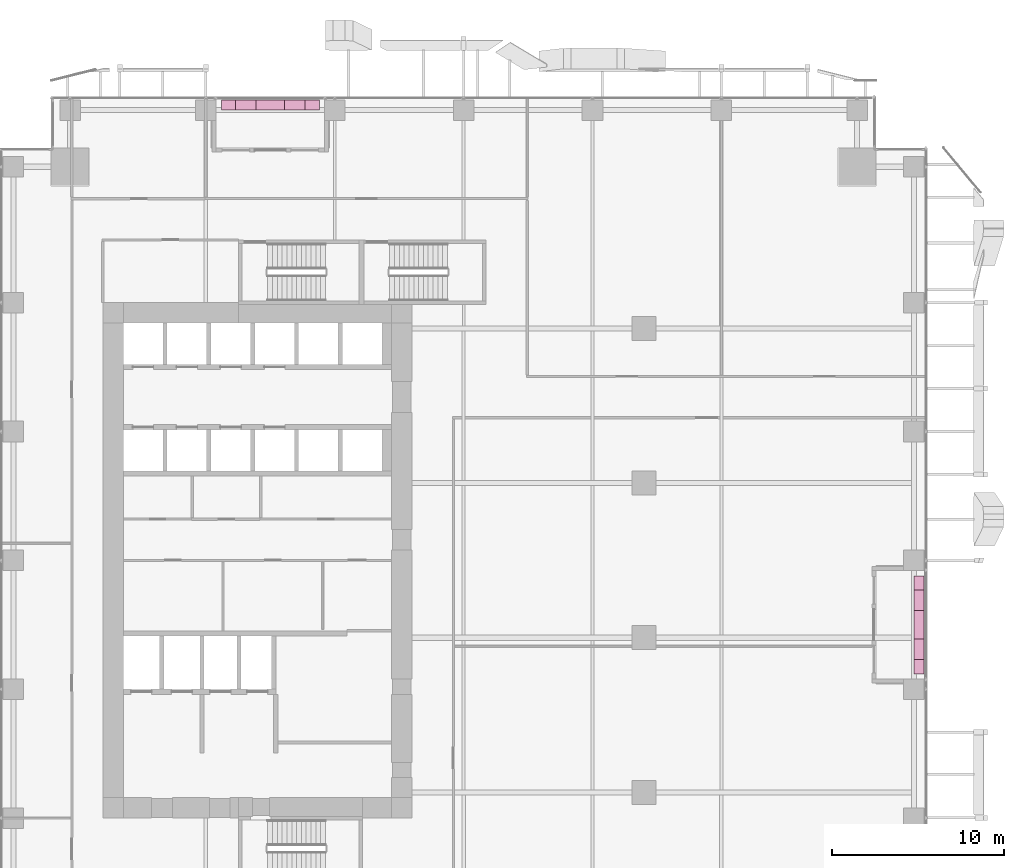
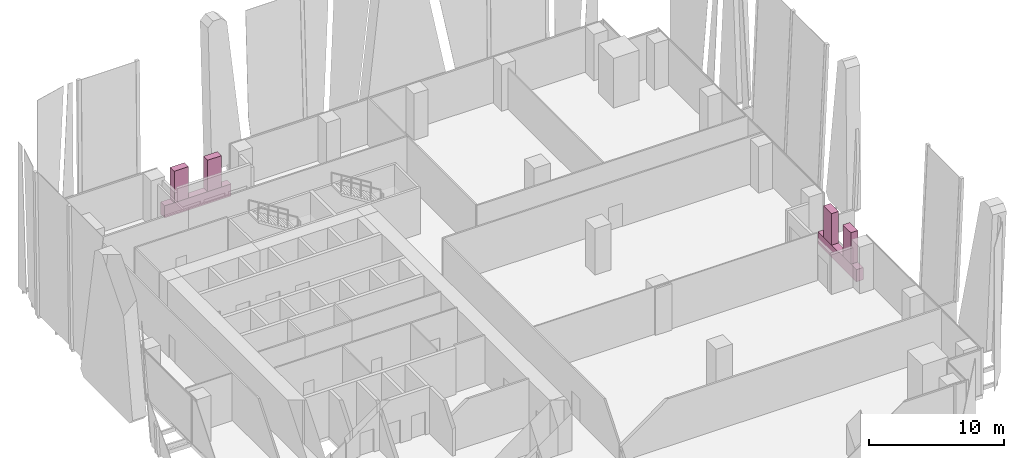
# One storey, part 34 of 34: 6 furnishings.
"""IFC4 building model written with IfcOpenShell, lengths in metres."""

import ifcopenshell
import ifcopenshell.guid

model = None  # the IFC model being written
_history = None  # IfcOwnerHistory: only IFC2X3 demands one
_inside = {}  # id of a spatial element -> (the spatial element, [elements in it])
_under = {}  # id of a project, library or spatial element -> (it, [spatial elements below it])
_declared = {}  # id of a project -> (the project, [libraries it declares])
_typed = {}  # id of a type object -> (the type object, [elements of that type])
_made_of = {}  # id of a material, layer set ... -> (it, [elements and type objects made of it])


def new_model(schema):
    """Start an empty IFC model of exactly this schema.

    Asked for "IFC4X3", IfcOpenShell would pick the latest addendum, in which some entities
    have other attributes; the version numbers below select the first issue.
    IFC2X3 requires an IfcOwnerHistory on every rooted entity: one is made here for all.
    """
    global model, _history
    if schema == "IFC4X3":
        model = ifcopenshell.file(schema_version=(4, 3, 0, 0))
    else:
        model = ifcopenshell.file(schema=schema)
    _inside.clear()
    _under.clear()
    _declared.clear()
    _typed.clear()
    _made_of.clear()
    _history = None
    if model.schema == "IFC2X3":
        org = make("IfcOrganization", Name="unknown")
        user = make(
            "IfcPersonAndOrganization",
            ThePerson=make("IfcPerson", FamilyName="unknown"),
            TheOrganization=org,
        )
        app = make(
            "IfcApplication",
            ApplicationDeveloper=org,
            Version="unknown",
            ApplicationFullName="unknown",
            ApplicationIdentifier="unknown",
        )
        _history = make(
            "IfcOwnerHistory",
            OwningUser=user,
            OwningApplication=app,
            ChangeAction="ADDED",
            CreationDate=0,
        )
    return model


def make(cls, **values):
    """One entity of the class cls with the attributes given. An attribute that is None is left unset."""
    return model.create_entity(
        cls, **{name: value for name, value in values.items() if value is not None}
    )


def rooted(cls, **values):
    """An entity with a GlobalId (a new one), such as an element, a storey or a relation."""
    return make(cls, GlobalId=ifcopenshell.guid.new(), OwnerHistory=_history, **values)


def si_unit(unit_type, name, prefix=None):
    """IfcSIUnit, for example si_unit("LENGTHUNIT", "METRE", prefix="MILLI")."""
    return make("IfcSIUnit", UnitType=unit_type, Prefix=prefix, Name=name)


def assignment(units):
    """IfcUnitAssignment: the units of a project."""
    return None if units is None else make("IfcUnitAssignment", Units=units)


def point(xyz):
    """IfcCartesianPoint."""
    return None if xyz is None else make("IfcCartesianPoint", Coordinates=xyz)


def direction(xyz):
    """IfcDirection."""
    return None if xyz is None else make("IfcDirection", DirectionRatios=xyz)


def frame(location, z_axis=None, x_axis=None):
    """IfcAxis2Placement3D, a coordinate frame: its origin and axes. An axis left out is left unset."""
    return make(
        "IfcAxis2Placement3D",
        Location=point(location),
        Axis=direction(z_axis),
        RefDirection=direction(x_axis),
    )


def frame_2d(location, x_axis=None):
    """IfcAxis2Placement2D, a coordinate frame in the plane: its origin and x axis."""
    return make(
        "IfcAxis2Placement2D", Location=point(location), RefDirection=direction(x_axis)
    )


def origin():
    """The frame at (0, 0, 0) with its axes left unset."""
    return frame((0.0, 0.0, 0.0))


def origin_2d():
    """The frame at (0, 0) in the plane with its x axis left unset."""
    return frame_2d((0.0, 0.0))


def place(relative_to, where):
    """IfcLocalPlacement: puts the frame where relative to a parent placement (None: the world)."""
    return make(
        "IfcLocalPlacement", PlacementRelTo=relative_to, RelativePlacement=where
    )


def context(
    kind, dimensions, precision=None, world=None, true_north=None, identifier=None
):
    """IfcGeometricRepresentationContext, for example the 3D "Model" context."""
    return make(
        "IfcGeometricRepresentationContext",
        ContextIdentifier=identifier,
        ContextType=kind,
        CoordinateSpaceDimension=dimensions,
        Precision=precision,
        WorldCoordinateSystem=world,
        TrueNorth=true_north,
    )


def subcontext(parent, identifier, kind, view, scale=None):
    """IfcGeometricRepresentationSubContext, for example "Body" below "Model"."""
    return make(
        "IfcGeometricRepresentationSubContext",
        ContextIdentifier=identifier,
        ContextType=kind,
        ParentContext=parent,
        TargetScale=scale,
        TargetView=view,
    )


def project(units=None, contexts=None):
    """IfcProject with its units and contexts."""
    return rooted(
        "IfcProject",
        Name="project",
        RepresentationContexts=contexts,
        UnitsInContext=assignment(units),
    )


def spatial(cls, under=None, at=None, **own):
    """A site, building, storey or space (cls), placed at a placement, below another one or the project."""
    s = rooted(cls, ObjectPlacement=at, **own)
    if under is not None:
        _under.setdefault(under.id(), (under, []))[1].append(s)
    return s


def profile(cls, at=None, kind="AREA", **sizes):
    """A parametric profile (cls). Its sizes go by their IFC names, for example OverallWidth=200.0."""
    return make(cls, ProfileType=kind, Position=at, **sizes)


def rectangle(**sizes):
    """IfcRectangleProfileDef."""
    return profile("IfcRectangleProfileDef", **sizes)


def extrude(swept, where, along, depth):
    """IfcExtrudedAreaSolid: the profile swept, set in the frame where, extruded along a direction by depth."""
    return make(
        "IfcExtrudedAreaSolid",
        SweptArea=swept,
        Position=where,
        ExtrudedDirection=direction(along),
        Depth=depth,
    )


def shape(context_of_items, identifier, shape_type, items):
    """IfcShapeRepresentation: the items that make up one representation, for example the "Body"."""
    return make(
        "IfcShapeRepresentation",
        ContextOfItems=context_of_items,
        RepresentationIdentifier=identifier,
        RepresentationType=shape_type,
        Items=items,
    )


def source(mapping_origin, context_of_items, identifier, shape_type, items):
    """IfcRepresentationMap: a shape defined once, which mapped items show again and again."""
    return make(
        "IfcRepresentationMap",
        MappingOrigin=mapping_origin,
        MappedRepresentation=shape(context_of_items, identifier, shape_type, items),
    )


def transform(
    local_origin,
    x_axis=None,
    y_axis=None,
    z_axis=None,
    scale=None,
    scale2=None,
    scale3=None,
    uniform=True,
):
    """IfcCartesianTransformationOperator3D, or its non-uniform kind. x_axis, y_axis, z_axis: its Axis1, 2, 3."""
    if uniform:
        return make(
            "IfcCartesianTransformationOperator3D",
            Axis1=direction(x_axis),
            Axis2=direction(y_axis),
            LocalOrigin=point(local_origin),
            Scale=scale,
            Axis3=direction(z_axis),
        )
    return make(
        "IfcCartesianTransformationOperator3DnonUniform",
        Axis1=direction(x_axis),
        Axis2=direction(y_axis),
        LocalOrigin=point(local_origin),
        Scale=scale,
        Axis3=direction(z_axis),
        Scale2=scale2,
        Scale3=scale3,
    )


def mapped(mapping_source, mapping_target):
    """IfcMappedItem: shows the shape of a source again, moved by a transform."""
    return make(
        "IfcMappedItem", MappingSource=mapping_source, MappingTarget=mapping_target
    )


def material(Name=None, Category=None):
    """IfcMaterial."""
    return make("IfcMaterial", Name=Name, Category=Category)


def made_of(thing, what):
    """Note that an element or type object is made of a material, layer set ...; save() writes the relation."""
    if what is not None:
        _made_of.setdefault(what.id(), (what, []))[1].append(thing)
    return thing


def type_object(cls, material=None, **own):
    """A type object (cls), such as IfcWallType, which elements share."""
    return made_of(rooted(cls, **own), material)


def element(
    cls,
    number,
    at=None,
    inside=None,
    cuts=None,
    type_object=None,
    material=None,
    context=None,
    identifier="Body",
    shape_type=None,
    held_by="IfcProductDefinitionShape",
    body=None,
    shapes=None,
    **own,
):
    """One element of the class cls, such as IfcWall. Its Tag is "e" and its number.

    at: its placement. inside: the storey or other place that contains it. cuts: it is an
    opening in that element (IfcRelVoidsElement). A single representation is given by context,
    identifier, shape_type and body (its items); several are given by shapes. held_by: the class
    of the entity that holds the representations. save() writes the other relations.
    """
    e = rooted(cls, Tag="e%d" % number, ObjectPlacement=at, **own)
    if body is not None:
        shapes = [shape(context, identifier, shape_type, body)]
    if shapes is not None:
        e.Representation = make(held_by, Representations=shapes)
    if inside is not None:
        _inside.setdefault(inside.id(), (inside, []))[1].append(e)
    if cuts is not None:
        rooted(
            "IfcRelVoidsElement", RelatingBuildingElement=cuts, RelatedOpeningElement=e
        )
    if type_object is not None:
        _typed.setdefault(type_object.id(), (type_object, []))[1].append(e)
    return made_of(e, material)


def aggregate(whole, parts):
    """IfcRelAggregates: a whole, such as a stair, and the parts it consists of."""
    return rooted("IfcRelAggregates", RelatingObject=whole, RelatedObjects=parts)


def save(model, path):
    """Write the relations noted so far, then the file.

    IfcRelAggregates (storeys below a building ...), IfcRelContainedInSpatialStructure (elements
    in a storey), IfcRelDefinesByType, IfcRelAssociatesMaterial and IfcRelDeclares: one each for
    every whole, place, type object, material and project.
    """
    for whole, parts in _under.values():
        aggregate(whole, parts)
    for where, things in _inside.values():
        rooted(
            "IfcRelContainedInSpatialStructure",
            RelatedElements=things,
            RelatingStructure=where,
        )
    for kind, things in _typed.values():
        rooted("IfcRelDefinesByType", RelatedObjects=things, RelatingType=kind)
    for what, things in _made_of.values():
        rooted("IfcRelAssociatesMaterial", RelatedObjects=things, RelatingMaterial=what)
    for by, libraries in _declared.values():
        rooted("IfcRelDeclares", RelatingContext=by, RelatedDefinitions=libraries)
    model.write(path)


model = new_model("IFC4")

# Units and contexts
model_context = context("Model", 3, precision=1e-05, world=origin(), true_north=direction((0.0, 1.0)))
body_context = subcontext(model_context, "Body", "Model", "MODEL_VIEW")
ifc_project = project(units=[si_unit("LENGTHUNIT", "METRE"), si_unit("AREAUNIT", "SQUARE_METRE"), si_unit("VOLUMEUNIT", "CUBIC_METRE"), si_unit("PLANEANGLEUNIT", "RADIAN"), si_unit("MASSUNIT", "GRAM", prefix="KILO")], contexts=[model_context])

# Site, building, storey
site_placement = place(None, origin())
site = spatial("IfcSite", under=ifc_project, at=site_placement, CompositionType="ELEMENT")
building_placement = place(site_placement, origin())
building = spatial("IfcBuilding", under=site, at=building_placement, Name="Khomas Fold Tower", CompositionType="ELEMENT")
storey_placement = place(building_placement, frame((0.0, 0.0, 73.5)))
storey = spatial("IfcBuildingStorey", under=building, at=storey_placement, Name="L15", CompositionType="ELEMENT", Elevation=73.5)

# Furnishings
ifc_material_1 = material(Name="Precast concrete C40/50", Category="concrete")
furnishing_element_type_1 = type_object("IfcFurnishingElementType", Name="BL-Structural planter box", material=ifc_material_1)
shared_shape_1 = source(origin(), body_context, "Body", "SweptSolid", [
    extrude(rectangle(XDim=5.699951171875, YDim=0.60009765625, at=origin_2d()), origin(), (0.0, 0.0, 1.0), 1.10009765625),
])
for number, where, z_axis, x_axis, name in (
    (1, (53.5, 23.25, -0.045166015625), (0.0, 0.0, 1.0), (0.0, 1.0, 0.0), "PLANTER BAL-L15-E2"),
    (2, (15.75, 53.5, -0.045166015625), (0.0, 0.0, 1.0), (1.0, 0.0, 0.0), "PLANTER BAL-L15-N1"),
):
    element("IfcFurnishingElement", number, at=place(storey_placement, frame(where, z_axis=z_axis, x_axis=x_axis)), inside=storey, type_object=furnishing_element_type_1, Name=name, context=body_context, shape_type="MappedRepresentation", body=[
        mapped(shared_shape_1, transform((0.0, 0.0, 0.0))),
    ])
ifc_material_2 = material(Name="Planting")
furnishing_element_type_2 = type_object("IfcFurnishingElementType", Name="BL-Tree Karee", material=ifc_material_2)
shared_shape_2 = source(origin(), body_context, "Body", "SweptSolid", [
    extrude(rectangle(XDim=1.199951171875, YDim=0.60009765625, at=origin_2d()), origin(), (0.0, 0.0, 1.0), 2.844970703125),
])
furnishing_1_placement = place(storey_placement, frame((53.5, 21.824951171875, 1.05517578125), z_axis=(0.0, 0.0, 1.0), x_axis=(0.0, 1.0, 0.0)))
element("IfcFurnishingElement", 3, at=furnishing_1_placement, inside=storey, type_object=furnishing_element_type_2, Name="PLANTER (TREE) Karee BAL-L15-E2-1", context=body_context, shape_type="MappedRepresentation", body=[
    mapped(shared_shape_2, transform((0.0, 0.0, 0.0))),
])
ifc_material_3 = material(Name="Planting")
furnishing_element_type_3 = type_object("IfcFurnishingElementType", Name="BL-Tree Wild olive", material=ifc_material_3)
furnishing_2_placement = place(storey_placement, frame((53.5, 24.675048828125, 1.05517578125), z_axis=(0.0, 0.0, 1.0), x_axis=(0.0, 1.0, 0.0)))
element("IfcFurnishingElement", 4, at=furnishing_2_placement, inside=storey, type_object=furnishing_element_type_3, Name="PLANTER (TREE) Wild olive BAL-L15-E2-2", context=body_context, shape_type="MappedRepresentation", body=[
    mapped(shared_shape_2, transform((0.0, 0.0, 0.0))),
])
furnishing_3_placement = place(storey_placement, frame((14.324951171875, 53.5, 1.05517578125), z_axis=(0.0, 0.0, 1.0), x_axis=(1.0, 0.0, 0.0)))
element("IfcFurnishingElement", 5, at=furnishing_3_placement, inside=storey, type_object=furnishing_element_type_2, Name="PLANTER (TREE) Karee BAL-L15-N1-1", context=body_context, shape_type="MappedRepresentation", body=[
    mapped(shared_shape_2, transform((0.0, 0.0, 0.0))),
])
furnishing_4_placement = place(storey_placement, frame((17.175048828125, 53.5, 1.05517578125), z_axis=(0.0, 0.0, 1.0), x_axis=(1.0, 0.0, 0.0)))
element("IfcFurnishingElement", 6, at=furnishing_4_placement, inside=storey, type_object=furnishing_element_type_3, Name="PLANTER (TREE) Wild olive BAL-L15-N1-2", context=body_context, shape_type="MappedRepresentation", body=[
    mapped(shared_shape_2, transform((0.0, 0.0, 0.0))),
])

save(model, "model.ifc")
